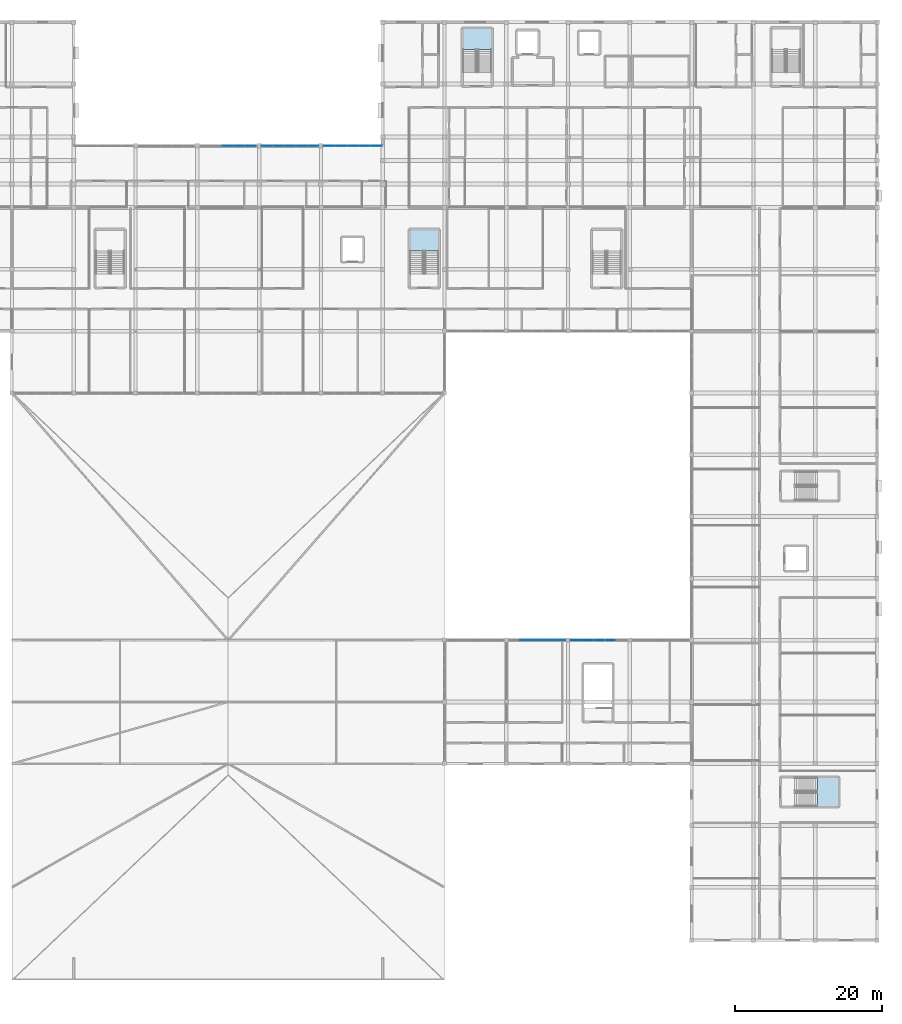
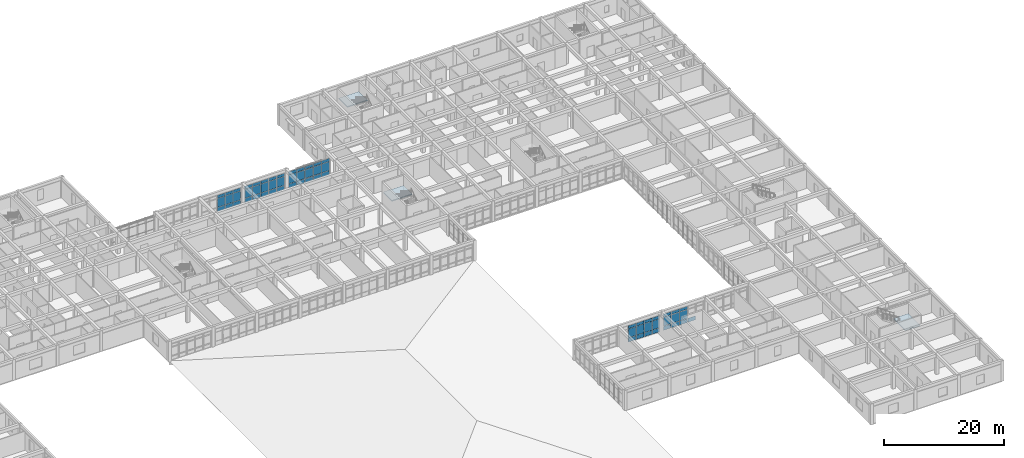
# One storey, part 39 of 77: 61 plates, 3 slabs, 8 elements without a shape of their own.
"""IFC4 building model written with IfcOpenShell, lengths in metres."""

from ifc_helpers import new_model, si_unit, direction, frame, origin, origin_2d, place, context, subcontext, project, spatial, polyline, rectangle, outline, extrude, material, layer, layer_set, type_object, element, aggregate, save


model = new_model("IFC4")

# Units and contexts
model_context = context("Model", 3, precision=1e-05, world=origin(), true_north=direction((0.0, 1.0)))
body_context = subcontext(model_context, "Body", "Model", "MODEL_VIEW")
ifc_project = project(units=[si_unit("LENGTHUNIT", "METRE"), si_unit("AREAUNIT", "SQUARE_METRE"), si_unit("VOLUMEUNIT", "CUBIC_METRE"), si_unit("PLANEANGLEUNIT", "RADIAN"), si_unit("MASSUNIT", "GRAM", prefix="KILO")], contexts=[model_context])

# Site, building, storey
site_placement = place(None, origin())
site = spatial("IfcSite", under=ifc_project, at=site_placement, CompositionType="ELEMENT")
building_placement = place(site_placement, origin())
building = spatial("IfcBuilding", under=site, at=building_placement, Name="Varncliffe General Hospital", CompositionType="ELEMENT")
storey_placement = place(building_placement, frame((0.0, 0.0, 16.199951171875)))
storey = spatial("IfcBuildingStorey", under=building, at=storey_placement, Name="L03", CompositionType="ELEMENT", Elevation=16.199951171875)

# Curtain wall, plates
ifc_material_1 = material(Name="Triple low-E argon insulated vision glazing", Category="glass")
curtain_wall_type_1 = type_object("IfcCurtainWallType", Name="Unitised Glazed Curtain Wall CW36 (7804x3440)", PredefinedType="USERDEFINED", material=ifc_material_1)
curtain_wall_1_placement = place(storey_placement, origin())
curtain_wall_1 = element("IfcCurtainWall", 1, at=curtain_wall_1_placement, inside=storey, type_object=curtain_wall_type_1, Name="L03 Glazed Curtain Wall CW36-156", ObjectType="GLAZED CURTAIN WALL", PredefinedType="USERDEFINED")
ifc_layer_1 = layer(ifc_material_1, 0.0439453125)
ifc_layer_set_1 = layer_set([ifc_layer_1], Name="Triple low-E argon insulated vision glazing")
plate_type_1 = type_object("IfcPlateType", Name="Curtain Wall Glazing Panel CP12 (44mm)", PredefinedType="CURTAIN_PANEL", material=ifc_layer_set_1)
plate_1_placement = place(storey_placement, frame((93.4970703125, 108.0, 0.06494140625), z_axis=(0.0, 0.0, 1.0), x_axis=(1.0, 0.0, 0.0)))
plate_1 = element("IfcPlate", 2, at=plate_1_placement, type_object=plate_type_1, Name="CW36 panel 1.1", PredefinedType="CURTAIN_PANEL", context=body_context, shape_type="SweptSolid", body=[
    extrude(rectangle(XDim=1.4482421875, YDim=0.0439453125, at=origin_2d()), origin(), (0.0, 0.0, 1.0), 0.802490234375),
])
plate_2_placement = place(storey_placement, frame((93.4970703125, 108.0, 0.9326171875), z_axis=(0.0, 0.0, 1.0), x_axis=(1.0, 0.0, 0.0)))
plate_2 = element("IfcPlate", 3, at=plate_2_placement, type_object=plate_type_1, Name="CW36 panel 1.2", PredefinedType="CURTAIN_PANEL", context=body_context, shape_type="SweptSolid", body=[
    extrude(rectangle(XDim=1.4482421875, YDim=0.0439453125, at=origin_2d()), origin(), (0.0, 0.0, 1.0), 1.77490234375),
])
plate_3_placement = place(storey_placement, frame((93.4970703125, 108.0, 2.7724609375), z_axis=(0.0, 0.0, 1.0), x_axis=(1.0, 0.0, 0.0)))
plate_3 = element("IfcPlate", 4, at=plate_3_placement, type_object=plate_type_1, Name="CW36 panel 1.3", PredefinedType="CURTAIN_PANEL", context=body_context, shape_type="SweptSolid", body=[
    extrude(rectangle(XDim=1.4482421875, YDim=0.0439453125, at=origin_2d()), origin(), (0.0, 0.0, 1.0), 0.6025390625),
])
plate_4_placement = place(storey_placement, frame((95.039306640625, 108.0, 0.06494140625), z_axis=(0.0, 0.0, 1.0), x_axis=(1.0, 0.0, 0.0)))
plate_4 = element("IfcPlate", 5, at=plate_4_placement, type_object=plate_type_1, Name="CW36 panel 2.1", PredefinedType="CURTAIN_PANEL", context=body_context, shape_type="SweptSolid", body=[
    extrude(rectangle(XDim=1.48583984375, YDim=0.0439453125, at=origin_2d()), origin(), (0.0, 0.0, 1.0), 0.802490234375),
])
plate_5_placement = place(storey_placement, frame((95.039306640625, 108.0, 0.9326171875), z_axis=(0.0, 0.0, 1.0), x_axis=(1.0, 0.0, 0.0)))
plate_5 = element("IfcPlate", 6, at=plate_5_placement, type_object=plate_type_1, Name="CW36 panel 2.2", PredefinedType="CURTAIN_PANEL", context=body_context, shape_type="SweptSolid", body=[
    extrude(rectangle(XDim=1.48583984375, YDim=0.0439453125, at=origin_2d()), origin(), (0.0, 0.0, 1.0), 1.77490234375),
])
plate_6_placement = place(storey_placement, frame((95.039306640625, 108.0, 2.7724609375), z_axis=(0.0, 0.0, 1.0), x_axis=(1.0, 0.0, 0.0)))
plate_6 = element("IfcPlate", 7, at=plate_6_placement, type_object=plate_type_1, Name="CW36 panel 2.3", PredefinedType="CURTAIN_PANEL", context=body_context, shape_type="SweptSolid", body=[
    extrude(rectangle(XDim=1.48583984375, YDim=0.0439453125, at=origin_2d()), origin(), (0.0, 0.0, 1.0), 0.6025390625),
])
plate_7_placement = place(storey_placement, frame((96.60009765625, 108.0, 0.06494140625), z_axis=(0.0, 0.0, 1.0), x_axis=(1.0, 0.0, 0.0)))
plate_7 = element("IfcPlate", 8, at=plate_7_placement, type_object=plate_type_1, Name="CW36 panel 3.1", PredefinedType="CURTAIN_PANEL", context=body_context, shape_type="SweptSolid", body=[
    extrude(rectangle(XDim=1.48583984375, YDim=0.0439453125, at=origin_2d()), origin(), (0.0, 0.0, 1.0), 0.802490234375),
])
plate_8_placement = place(storey_placement, frame((96.60009765625, 108.0, 0.9326171875), z_axis=(0.0, 0.0, 1.0), x_axis=(1.0, 0.0, 0.0)))
plate_8 = element("IfcPlate", 9, at=plate_8_placement, type_object=plate_type_1, Name="CW36 panel 3.2", PredefinedType="CURTAIN_PANEL", context=body_context, shape_type="SweptSolid", body=[
    extrude(rectangle(XDim=1.48583984375, YDim=0.0439453125, at=origin_2d()), origin(), (0.0, 0.0, 1.0), 1.77490234375),
])
plate_9_placement = place(storey_placement, frame((96.60009765625, 108.0, 2.7724609375), z_axis=(0.0, 0.0, 1.0), x_axis=(1.0, 0.0, 0.0)))
plate_9 = element("IfcPlate", 10, at=plate_9_placement, type_object=plate_type_1, Name="CW36 panel 3.3", PredefinedType="CURTAIN_PANEL", context=body_context, shape_type="SweptSolid", body=[
    extrude(rectangle(XDim=1.48583984375, YDim=0.0439453125, at=origin_2d()), origin(), (0.0, 0.0, 1.0), 0.6025390625),
])
plate_10_placement = place(storey_placement, frame((98.160888671875, 108.0, 0.06494140625), z_axis=(0.0, 0.0, 1.0), x_axis=(1.0, 0.0, 0.0)))
plate_10 = element("IfcPlate", 11, at=plate_10_placement, type_object=plate_type_1, Name="CW36 panel 4.1", PredefinedType="CURTAIN_PANEL", context=body_context, shape_type="SweptSolid", body=[
    extrude(rectangle(XDim=1.48583984375, YDim=0.0439453125, at=origin_2d()), origin(), (0.0, 0.0, 1.0), 0.802490234375),
])
plate_11_placement = place(storey_placement, frame((98.160888671875, 108.0, 0.9326171875), z_axis=(0.0, 0.0, 1.0), x_axis=(1.0, 0.0, 0.0)))
plate_11 = element("IfcPlate", 12, at=plate_11_placement, type_object=plate_type_1, Name="CW36 panel 4.2", PredefinedType="CURTAIN_PANEL", context=body_context, shape_type="SweptSolid", body=[
    extrude(rectangle(XDim=1.48583984375, YDim=0.0439453125, at=origin_2d()), origin(), (0.0, 0.0, 1.0), 1.77490234375),
])
plate_12_placement = place(storey_placement, frame((98.160888671875, 108.0, 2.7724609375), z_axis=(0.0, 0.0, 1.0), x_axis=(1.0, 0.0, 0.0)))
plate_12 = element("IfcPlate", 13, at=plate_12_placement, type_object=plate_type_1, Name="CW36 panel 4.3", PredefinedType="CURTAIN_PANEL", context=body_context, shape_type="SweptSolid", body=[
    extrude(rectangle(XDim=1.48583984375, YDim=0.0439453125, at=origin_2d()), origin(), (0.0, 0.0, 1.0), 0.6025390625),
])
plate_13_placement = place(storey_placement, frame((99.702880859375, 108.0, 0.06494140625), z_axis=(0.0, 0.0, 1.0), x_axis=(1.0, 0.0, 0.0)))
plate_13 = element("IfcPlate", 14, at=plate_13_placement, type_object=plate_type_1, Name="CW36 panel 5.1", PredefinedType="CURTAIN_PANEL", context=body_context, shape_type="SweptSolid", body=[
    extrude(rectangle(XDim=1.4482421875, YDim=0.0439453125, at=origin_2d()), origin(), (0.0, 0.0, 1.0), 0.802490234375),
])
plate_14_placement = place(storey_placement, frame((99.702880859375, 108.0, 0.9326171875), z_axis=(0.0, 0.0, 1.0), x_axis=(1.0, 0.0, 0.0)))
plate_14 = element("IfcPlate", 15, at=plate_14_placement, type_object=plate_type_1, Name="CW36 panel 5.2", PredefinedType="CURTAIN_PANEL", context=body_context, shape_type="SweptSolid", body=[
    extrude(rectangle(XDim=1.4482421875, YDim=0.0439453125, at=origin_2d()), origin(), (0.0, 0.0, 1.0), 1.77490234375),
])
plate_15_placement = place(storey_placement, frame((99.702880859375, 108.0, 2.7724609375), z_axis=(0.0, 0.0, 1.0), x_axis=(1.0, 0.0, 0.0)))
plate_15 = element("IfcPlate", 16, at=plate_15_placement, type_object=plate_type_1, Name="CW36 panel 5.3", PredefinedType="CURTAIN_PANEL", context=body_context, shape_type="SweptSolid", body=[
    extrude(rectangle(XDim=1.4482421875, YDim=0.0439453125, at=origin_2d()), origin(), (0.0, 0.0, 1.0), 0.6025390625),
])
aggregate(curtain_wall_1, [plate_1, plate_2, plate_3, plate_4, plate_5, plate_6, plate_7, plate_8, plate_9, plate_10, plate_11, plate_12, plate_13, plate_14, plate_15])

curtain_wall_type_2 = type_object("IfcCurtainWallType", Name="Unitised Glazed Curtain Wall CW69 (7644x3440)", PredefinedType="USERDEFINED", material=ifc_material_1)
curtain_wall_2_placement = place(storey_placement, origin())
curtain_wall_2 = element("IfcCurtainWall", 17, at=curtain_wall_2_placement, inside=storey, type_object=curtain_wall_type_2, Name="L03 Glazed Curtain Wall CW69-155", ObjectType="GLAZED CURTAIN WALL", PredefinedType="USERDEFINED")
ifc_layer_2 = layer(ifc_material_1, 0.035888671875)
ifc_layer_set_2 = layer_set([ifc_layer_2], Name="Triple low-E argon insulated vision glazing")
plate_type_2 = type_object("IfcPlateType", Name="Curtain Wall Glazing Panel CP27 (36mm)", PredefinedType="CURTAIN_PANEL", material=ifc_layer_set_2)
plate_16_placement = place(storey_placement, frame((88.199951171875, 108.0, 0.06005859375), z_axis=(0.0, 0.0, 1.0), x_axis=(1.0, 0.0, 0.0)))
plate_16 = element("IfcPlate", 18, at=plate_16_placement, type_object=plate_type_2, Name="CW69 panel 3.1", PredefinedType="CURTAIN_PANEL", context=body_context, shape_type="SweptSolid", body=[
    extrude(rectangle(XDim=1.4638671875, YDim=0.035888671875, at=origin_2d()), origin(), (0.0, 0.0, 1.0), 0.81005859375),
])
plate_17_placement = place(storey_placement, frame((88.199951171875, 108.0, 0.93017578125), z_axis=(0.0, 0.0, 1.0), x_axis=(1.0, 0.0, 0.0)))
plate_17 = element("IfcPlate", 19, at=plate_17_placement, type_object=plate_type_2, Name="CW69 panel 3.2", PredefinedType="CURTAIN_PANEL", context=body_context, shape_type="SweptSolid", body=[
    extrude(rectangle(XDim=1.4638671875, YDim=0.035888671875, at=origin_2d()), origin(), (0.0, 0.0, 1.0), 1.780029296875),
])
plate_18_placement = place(storey_placement, frame((88.199951171875, 108.0, 2.77001953125), z_axis=(0.0, 0.0, 1.0), x_axis=(1.0, 0.0, 0.0)))
plate_18 = element("IfcPlate", 20, at=plate_18_placement, type_object=plate_type_2, Name="CW69 panel 3.3", PredefinedType="CURTAIN_PANEL", context=body_context, shape_type="SweptSolid", body=[
    extrude(rectangle(XDim=1.4638671875, YDim=0.035888671875, at=origin_2d()), origin(), (0.0, 0.0, 1.0), 0.610107421875),
])
plate_19_placement = place(storey_placement, frame((89.728759765625, 108.0, 0.06005859375), z_axis=(0.0, 0.0, 1.0), x_axis=(1.0, 0.0, 0.0)))
plate_19 = element("IfcPlate", 21, at=plate_19_placement, type_object=plate_type_2, Name="CW69 panel 4.1", PredefinedType="CURTAIN_PANEL", context=body_context, shape_type="SweptSolid", body=[
    extrude(rectangle(XDim=1.4638671875, YDim=0.035888671875, at=origin_2d()), origin(), (0.0, 0.0, 1.0), 0.81005859375),
])
plate_20_placement = place(storey_placement, frame((89.728759765625, 108.0, 0.93017578125), z_axis=(0.0, 0.0, 1.0), x_axis=(1.0, 0.0, 0.0)))
plate_20 = element("IfcPlate", 22, at=plate_20_placement, type_object=plate_type_2, Name="CW69 panel 4.2", PredefinedType="CURTAIN_PANEL", context=body_context, shape_type="SweptSolid", body=[
    extrude(rectangle(XDim=1.4638671875, YDim=0.035888671875, at=origin_2d()), origin(), (0.0, 0.0, 1.0), 1.780029296875),
])
plate_21_placement = place(storey_placement, frame((89.728759765625, 108.0, 2.77001953125), z_axis=(0.0, 0.0, 1.0), x_axis=(1.0, 0.0, 0.0)))
plate_21 = element("IfcPlate", 23, at=plate_21_placement, type_object=plate_type_2, Name="CW69 panel 4.3", PredefinedType="CURTAIN_PANEL", context=body_context, shape_type="SweptSolid", body=[
    extrude(rectangle(XDim=1.4638671875, YDim=0.035888671875, at=origin_2d()), origin(), (0.0, 0.0, 1.0), 0.610107421875),
])
plate_22_placement = place(storey_placement, frame((91.241455078125, 108.0, 0.06005859375), z_axis=(0.0, 0.0, 1.0), x_axis=(1.0, 0.0, 0.0)))
plate_22 = element("IfcPlate", 24, at=plate_22_placement, type_object=plate_type_2, Name="CW69 panel 5.1", PredefinedType="CURTAIN_PANEL", context=body_context, shape_type="SweptSolid", body=[
    extrude(rectangle(XDim=1.431396484375, YDim=0.035888671875, at=origin_2d()), origin(), (0.0, 0.0, 1.0), 0.81005859375),
])
plate_23_placement = place(storey_placement, frame((91.241455078125, 108.0, 0.93017578125), z_axis=(0.0, 0.0, 1.0), x_axis=(1.0, 0.0, 0.0)))
plate_23 = element("IfcPlate", 25, at=plate_23_placement, type_object=plate_type_2, Name="CW69 panel 5.2", PredefinedType="CURTAIN_PANEL", context=body_context, shape_type="SweptSolid", body=[
    extrude(rectangle(XDim=1.431396484375, YDim=0.035888671875, at=origin_2d()), origin(), (0.0, 0.0, 1.0), 1.780029296875),
])
plate_24_placement = place(storey_placement, frame((91.241455078125, 108.0, 2.77001953125), z_axis=(0.0, 0.0, 1.0), x_axis=(1.0, 0.0, 0.0)))
plate_24 = element("IfcPlate", 26, at=plate_24_placement, type_object=plate_type_2, Name="CW69 panel 5.3", PredefinedType="CURTAIN_PANEL", context=body_context, shape_type="SweptSolid", body=[
    extrude(rectangle(XDim=1.431396484375, YDim=0.035888671875, at=origin_2d()), origin(), (0.0, 0.0, 1.0), 0.610107421875),
])
aggregate(curtain_wall_2, [plate_16, plate_17, plate_18, plate_19, plate_20, plate_21, plate_22, plate_23, plate_24])

curtain_wall_type_3 = type_object("IfcCurtainWallType", Name="Unitised Glazed Curtain Wall CW37 (7694x3440)", PredefinedType="USERDEFINED", material=ifc_material_1)
curtain_wall_3_placement = place(storey_placement, origin())
curtain_wall_3 = element("IfcCurtainWall", 27, at=curtain_wall_3_placement, inside=storey, type_object=curtain_wall_type_3, Name="L03 Glazed Curtain Wall CW37-161", ObjectType="GLAZED CURTAIN WALL", PredefinedType="USERDEFINED")
ifc_material_2 = material(Name="Insulated ceramic-fritted spandrel glazing panel", Category="glass")
ifc_layer_3 = layer(ifc_material_2, 0.06396484375)
ifc_layer_set_3 = layer_set([ifc_layer_3], Name="Insulated ceramic-fritted spandrel glazing panel")
plate_type_3 = type_object("IfcPlateType", Name="Curtain Wall Glazing Panel CP41 (64mm)", PredefinedType="CURTAIN_PANEL", material=ifc_layer_set_3)
plate_25_placement = place(storey_placement, frame((128.6611328125, 40.800048828125, 0.06005859375), z_axis=(0.0, 0.0, 1.0), x_axis=(1.0, 0.0, 0.0)))
plate_25 = element("IfcPlate", 28, at=plate_25_placement, type_object=plate_type_3, Name="CW37 panel 2.1", PredefinedType="CURTAIN_PANEL", context=body_context, shape_type="SweptSolid", body=[
    extrude(rectangle(XDim=1.473876953125, YDim=0.06396484375, at=origin_2d()), origin(), (0.0, 0.0, 1.0), 0.81005859375),
])
plate_26_placement = place(storey_placement, frame((128.6611328125, 40.800048828125, 0.93017578125), z_axis=(0.0, 0.0, 1.0), x_axis=(1.0, 0.0, 0.0)))
plate_26 = element("IfcPlate", 29, at=plate_26_placement, type_object=plate_type_3, Name="CW37 panel 2.2", PredefinedType="CURTAIN_PANEL", context=body_context, shape_type="SweptSolid", body=[
    extrude(rectangle(XDim=1.473876953125, YDim=0.06396484375, at=origin_2d()), origin(), (0.0, 0.0, 1.0), 1.780029296875),
])
plate_27_placement = place(storey_placement, frame((128.6611328125, 40.800048828125, 2.77001953125), z_axis=(0.0, 0.0, 1.0), x_axis=(1.0, 0.0, 0.0)))
plate_27 = element("IfcPlate", 30, at=plate_27_placement, type_object=plate_type_3, Name="CW37 panel 2.3", PredefinedType="CURTAIN_PANEL", context=body_context, shape_type="SweptSolid", body=[
    extrude(rectangle(XDim=1.473876953125, YDim=0.06396484375, at=origin_2d()), origin(), (0.0, 0.0, 1.0), 0.610107421875),
])
plate_28_placement = place(storey_placement, frame((130.199951171875, 40.800048828125, 0.06005859375), z_axis=(0.0, 0.0, 1.0), x_axis=(1.0, 0.0, 0.0)))
plate_28 = element("IfcPlate", 31, at=plate_28_placement, type_object=plate_type_3, Name="CW37 panel 3.1", PredefinedType="CURTAIN_PANEL", context=body_context, shape_type="SweptSolid", body=[
    extrude(rectangle(XDim=1.473876953125, YDim=0.06396484375, at=origin_2d()), origin(), (0.0, 0.0, 1.0), 0.81005859375),
])
plate_29_placement = place(storey_placement, frame((130.199951171875, 40.800048828125, 0.93017578125), z_axis=(0.0, 0.0, 1.0), x_axis=(1.0, 0.0, 0.0)))
plate_29 = element("IfcPlate", 32, at=plate_29_placement, type_object=plate_type_3, Name="CW37 panel 3.2", PredefinedType="CURTAIN_PANEL", context=body_context, shape_type="SweptSolid", body=[
    extrude(rectangle(XDim=1.473876953125, YDim=0.06396484375, at=origin_2d()), origin(), (0.0, 0.0, 1.0), 1.780029296875),
])
plate_30_placement = place(storey_placement, frame((130.199951171875, 40.800048828125, 2.77001953125), z_axis=(0.0, 0.0, 1.0), x_axis=(1.0, 0.0, 0.0)))
plate_30 = element("IfcPlate", 33, at=plate_30_placement, type_object=plate_type_3, Name="CW37 panel 3.3", PredefinedType="CURTAIN_PANEL", context=body_context, shape_type="SweptSolid", body=[
    extrude(rectangle(XDim=1.473876953125, YDim=0.06396484375, at=origin_2d()), origin(), (0.0, 0.0, 1.0), 0.610107421875),
])
plate_31_placement = place(storey_placement, frame((131.73876953125, 40.800048828125, 0.06005859375), z_axis=(0.0, 0.0, 1.0), x_axis=(1.0, 0.0, 0.0)))
plate_31 = element("IfcPlate", 34, at=plate_31_placement, type_object=plate_type_3, Name="CW37 panel 4.1", PredefinedType="CURTAIN_PANEL", context=body_context, shape_type="SweptSolid", body=[
    extrude(rectangle(XDim=1.473876953125, YDim=0.06396484375, at=origin_2d()), origin(), (0.0, 0.0, 1.0), 0.81005859375),
])
plate_32_placement = place(storey_placement, frame((131.73876953125, 40.800048828125, 0.93017578125), z_axis=(0.0, 0.0, 1.0), x_axis=(1.0, 0.0, 0.0)))
plate_32 = element("IfcPlate", 35, at=plate_32_placement, type_object=plate_type_3, Name="CW37 panel 4.2", PredefinedType="CURTAIN_PANEL", context=body_context, shape_type="SweptSolid", body=[
    extrude(rectangle(XDim=1.473876953125, YDim=0.06396484375, at=origin_2d()), origin(), (0.0, 0.0, 1.0), 1.780029296875),
])
plate_33_placement = place(storey_placement, frame((131.73876953125, 40.800048828125, 2.77001953125), z_axis=(0.0, 0.0, 1.0), x_axis=(1.0, 0.0, 0.0)))
plate_33 = element("IfcPlate", 36, at=plate_33_placement, type_object=plate_type_3, Name="CW37 panel 4.3", PredefinedType="CURTAIN_PANEL", context=body_context, shape_type="SweptSolid", body=[
    extrude(rectangle(XDim=1.473876953125, YDim=0.06396484375, at=origin_2d()), origin(), (0.0, 0.0, 1.0), 0.610107421875),
])
plate_34_placement = place(storey_placement, frame((133.26123046875, 40.800048828125, 0.06005859375), z_axis=(0.0, 0.0, 1.0), x_axis=(1.0, 0.0, 0.0)))
plate_34 = element("IfcPlate", 37, at=plate_34_placement, type_object=plate_type_3, Name="CW37 panel 5.1", PredefinedType="CURTAIN_PANEL", context=body_context, shape_type="SweptSolid", body=[
    extrude(rectangle(XDim=1.44140625, YDim=0.06396484375, at=origin_2d()), origin(), (0.0, 0.0, 1.0), 0.81005859375),
])
plate_35_placement = place(storey_placement, frame((133.26123046875, 40.800048828125, 0.93017578125), z_axis=(0.0, 0.0, 1.0), x_axis=(1.0, 0.0, 0.0)))
plate_35 = element("IfcPlate", 38, at=plate_35_placement, type_object=plate_type_3, Name="CW37 panel 5.2", PredefinedType="CURTAIN_PANEL", context=body_context, shape_type="SweptSolid", body=[
    extrude(rectangle(XDim=1.44140625, YDim=0.06396484375, at=origin_2d()), origin(), (0.0, 0.0, 1.0), 1.780029296875),
])
plate_36_placement = place(storey_placement, frame((133.26123046875, 40.800048828125, 2.77001953125), z_axis=(0.0, 0.0, 1.0), x_axis=(1.0, 0.0, 0.0)))
plate_36 = element("IfcPlate", 39, at=plate_36_placement, type_object=plate_type_3, Name="CW37 panel 5.3", PredefinedType="CURTAIN_PANEL", context=body_context, shape_type="SweptSolid", body=[
    extrude(rectangle(XDim=1.44140625, YDim=0.06396484375, at=origin_2d()), origin(), (0.0, 0.0, 1.0), 0.610107421875),
])
aggregate(curtain_wall_3, [plate_25, plate_26, plate_27, plate_28, plate_29, plate_30, plate_31, plate_32, plate_33, plate_34, plate_35, plate_36])

curtain_wall_type_4 = type_object("IfcCurtainWallType", Name="Unitised Glazed Curtain Wall CW73 (8022x3440)", PredefinedType="USERDEFINED", material=ifc_material_1)
curtain_wall_4_placement = place(storey_placement, origin())
curtain_wall_4 = element("IfcCurtainWall", 40, at=curtain_wall_4_placement, inside=storey, type_object=curtain_wall_type_4, Name="L03 Glazed Curtain Wall CW73-157", ObjectType="GLAZED CURTAIN WALL", PredefinedType="USERDEFINED")
ifc_layer_4 = layer(ifc_material_2, 0.052001953125)
ifc_layer_set_4 = layer_set([ifc_layer_4], Name="Insulated ceramic-fritted spandrel glazing panel")
plate_type_4 = type_object("IfcPlateType", Name="Curtain Wall Glazing Panel CP46 (52mm)", PredefinedType="CURTAIN_PANEL", material=ifc_layer_set_4)
plate_37_placement = place(storey_placement, frame((101.958984375, 108.0, 0.06005859375), z_axis=(0.0, 0.0, 1.0), x_axis=(1.0, 0.0, 0.0)))
plate_37 = element("IfcPlate", 41, at=plate_37_placement, type_object=plate_type_4, Name="CW73 panel 1.1", PredefinedType="CURTAIN_PANEL", context=body_context, shape_type="SweptSolid", body=[
    extrude(rectangle(XDim=1.491943359375, YDim=0.052001953125, at=origin_2d()), origin(), (0.0, 0.0, 1.0), 0.81005859375),
])
plate_38_placement = place(storey_placement, frame((101.958984375, 108.0, 0.93017578125), z_axis=(0.0, 0.0, 1.0), x_axis=(1.0, 0.0, 0.0)))
plate_38 = element("IfcPlate", 42, at=plate_38_placement, type_object=plate_type_4, Name="CW73 panel 1.2", PredefinedType="CURTAIN_PANEL", context=body_context, shape_type="SweptSolid", body=[
    extrude(rectangle(XDim=1.491943359375, YDim=0.052001953125, at=origin_2d()), origin(), (0.0, 0.0, 1.0), 1.780029296875),
])
plate_39_placement = place(storey_placement, frame((101.958984375, 108.0, 2.77001953125), z_axis=(0.0, 0.0, 1.0), x_axis=(1.0, 0.0, 0.0)))
plate_39 = element("IfcPlate", 43, at=plate_39_placement, type_object=plate_type_4, Name="CW73 panel 1.3", PredefinedType="CURTAIN_PANEL", context=body_context, shape_type="SweptSolid", body=[
    extrude(rectangle(XDim=1.491943359375, YDim=0.052001953125, at=origin_2d()), origin(), (0.0, 0.0, 1.0), 0.610107421875),
])
plate_40_placement = place(storey_placement, frame((103.544677734375, 108.0, 0.06005859375), z_axis=(0.0, 0.0, 1.0), x_axis=(1.0, 0.0, 0.0)))
plate_40 = element("IfcPlate", 44, at=plate_40_placement, type_object=plate_type_4, Name="CW73 panel 2.1", PredefinedType="CURTAIN_PANEL", context=body_context, shape_type="SweptSolid", body=[
    extrude(rectangle(XDim=1.529296875, YDim=0.052001953125, at=origin_2d()), origin(), (0.0, 0.0, 1.0), 0.81005859375),
])
plate_41_placement = place(storey_placement, frame((103.544677734375, 108.0, 0.93017578125), z_axis=(0.0, 0.0, 1.0), x_axis=(1.0, 0.0, 0.0)))
plate_41 = element("IfcPlate", 45, at=plate_41_placement, type_object=plate_type_4, Name="CW73 panel 2.2", PredefinedType="CURTAIN_PANEL", context=body_context, shape_type="SweptSolid", body=[
    extrude(rectangle(XDim=1.529296875, YDim=0.052001953125, at=origin_2d()), origin(), (0.0, 0.0, 1.0), 1.780029296875),
])
plate_42_placement = place(storey_placement, frame((103.544677734375, 108.0, 2.77001953125), z_axis=(0.0, 0.0, 1.0), x_axis=(1.0, 0.0, 0.0)))
plate_42 = element("IfcPlate", 46, at=plate_42_placement, type_object=plate_type_4, Name="CW73 panel 2.3", PredefinedType="CURTAIN_PANEL", context=body_context, shape_type="SweptSolid", body=[
    extrude(rectangle(XDim=1.529296875, YDim=0.052001953125, at=origin_2d()), origin(), (0.0, 0.0, 1.0), 0.610107421875),
])
plate_43_placement = place(storey_placement, frame((105.14892578125, 108.0, 0.06005859375), z_axis=(0.0, 0.0, 1.0), x_axis=(1.0, 0.0, 0.0)))
plate_43 = element("IfcPlate", 47, at=plate_43_placement, type_object=plate_type_4, Name="CW73 panel 3.1", PredefinedType="CURTAIN_PANEL", context=body_context, shape_type="SweptSolid", body=[
    extrude(rectangle(XDim=1.529296875, YDim=0.052001953125, at=origin_2d()), origin(), (0.0, 0.0, 1.0), 0.81005859375),
])
plate_44_placement = place(storey_placement, frame((105.14892578125, 108.0, 0.93017578125), z_axis=(0.0, 0.0, 1.0), x_axis=(1.0, 0.0, 0.0)))
plate_44 = element("IfcPlate", 48, at=plate_44_placement, type_object=plate_type_4, Name="CW73 panel 3.2", PredefinedType="CURTAIN_PANEL", context=body_context, shape_type="SweptSolid", body=[
    extrude(rectangle(XDim=1.529296875, YDim=0.052001953125, at=origin_2d()), origin(), (0.0, 0.0, 1.0), 1.780029296875),
])
plate_45_placement = place(storey_placement, frame((105.14892578125, 108.0, 2.77001953125), z_axis=(0.0, 0.0, 1.0), x_axis=(1.0, 0.0, 0.0)))
plate_45 = element("IfcPlate", 49, at=plate_45_placement, type_object=plate_type_4, Name="CW73 panel 3.3", PredefinedType="CURTAIN_PANEL", context=body_context, shape_type="SweptSolid", body=[
    extrude(rectangle(XDim=1.529296875, YDim=0.052001953125, at=origin_2d()), origin(), (0.0, 0.0, 1.0), 0.610107421875),
])
plate_46_placement = place(storey_placement, frame((106.75341796875, 108.0, 0.06005859375), z_axis=(0.0, 0.0, 1.0), x_axis=(1.0, 0.0, 0.0)))
plate_46 = element("IfcPlate", 50, at=plate_46_placement, type_object=plate_type_4, Name="CW73 panel 4.1", PredefinedType="CURTAIN_PANEL", context=body_context, shape_type="SweptSolid", body=[
    extrude(rectangle(XDim=1.529296875, YDim=0.052001953125, at=origin_2d()), origin(), (0.0, 0.0, 1.0), 0.81005859375),
])
plate_47_placement = place(storey_placement, frame((106.75341796875, 108.0, 0.93017578125), z_axis=(0.0, 0.0, 1.0), x_axis=(1.0, 0.0, 0.0)))
plate_47 = element("IfcPlate", 51, at=plate_47_placement, type_object=plate_type_4, Name="CW73 panel 4.2", PredefinedType="CURTAIN_PANEL", context=body_context, shape_type="SweptSolid", body=[
    extrude(rectangle(XDim=1.529296875, YDim=0.052001953125, at=origin_2d()), origin(), (0.0, 0.0, 1.0), 1.780029296875),
])
plate_48_placement = place(storey_placement, frame((106.75341796875, 108.0, 2.77001953125), z_axis=(0.0, 0.0, 1.0), x_axis=(1.0, 0.0, 0.0)))
plate_48 = element("IfcPlate", 52, at=plate_48_placement, type_object=plate_type_4, Name="CW73 panel 4.3", PredefinedType="CURTAIN_PANEL", context=body_context, shape_type="SweptSolid", body=[
    extrude(rectangle(XDim=1.529296875, YDim=0.052001953125, at=origin_2d()), origin(), (0.0, 0.0, 1.0), 0.610107421875),
])
plate_49_placement = place(storey_placement, frame((108.339111328125, 108.0, 0.06005859375), z_axis=(0.0, 0.0, 1.0), x_axis=(1.0, 0.0, 0.0)))
plate_49 = element("IfcPlate", 53, at=plate_49_placement, type_object=plate_type_4, Name="CW73 panel 5.1", PredefinedType="CURTAIN_PANEL", context=body_context, shape_type="SweptSolid", body=[
    extrude(rectangle(XDim=1.491943359375, YDim=0.052001953125, at=origin_2d()), origin(), (0.0, 0.0, 1.0), 0.81005859375),
])
plate_50_placement = place(storey_placement, frame((108.339111328125, 108.0, 0.93017578125), z_axis=(0.0, 0.0, 1.0), x_axis=(1.0, 0.0, 0.0)))
plate_50 = element("IfcPlate", 54, at=plate_50_placement, type_object=plate_type_4, Name="CW73 panel 5.2", PredefinedType="CURTAIN_PANEL", context=body_context, shape_type="SweptSolid", body=[
    extrude(rectangle(XDim=1.491943359375, YDim=0.052001953125, at=origin_2d()), origin(), (0.0, 0.0, 1.0), 1.780029296875),
])
plate_51_placement = place(storey_placement, frame((108.339111328125, 108.0, 2.77001953125), z_axis=(0.0, 0.0, 1.0), x_axis=(1.0, 0.0, 0.0)))
plate_51 = element("IfcPlate", 55, at=plate_51_placement, type_object=plate_type_4, Name="CW73 panel 5.3", PredefinedType="CURTAIN_PANEL", context=body_context, shape_type="SweptSolid", body=[
    extrude(rectangle(XDim=1.491943359375, YDim=0.052001953125, at=origin_2d()), origin(), (0.0, 0.0, 1.0), 0.610107421875),
])
aggregate(curtain_wall_4, [plate_37, plate_38, plate_39, plate_40, plate_41, plate_42, plate_43, plate_44, plate_45, plate_46, plate_47, plate_48, plate_49, plate_50, plate_51])

curtain_wall_type_5 = type_object("IfcCurtainWallType", Name="Unitised Glazed Curtain Wall CW83 (7854x3440)", PredefinedType="USERDEFINED", material=ifc_material_1)
curtain_wall_5_placement = place(storey_placement, origin())
curtain_wall_5 = element("IfcCurtainWall", 56, at=curtain_wall_5_placement, inside=storey, type_object=curtain_wall_type_5, Name="L03 Glazed Curtain Wall CW83-162", ObjectType="GLAZED CURTAIN WALL", PredefinedType="USERDEFINED")
ifc_layer_5 = layer(ifc_material_1, 0.028076171875)
ifc_layer_set_5 = layer_set([ifc_layer_5], Name="Triple low-E argon insulated vision glazing")
plate_type_5 = type_object("IfcPlateType", Name="Curtain Wall Glazing Panel CP48 (28mm)", PredefinedType="CURTAIN_PANEL", material=ifc_layer_set_5)
plate_52_placement = place(storey_placement, frame((135.47705078125, 40.800048828125, 0.06494140625), z_axis=(0.0, 0.0, 1.0), x_axis=(1.0, 0.0, 0.0)))
plate_52 = element("IfcPlate", 57, at=plate_52_placement, type_object=plate_type_5, Name="CW83 panel 1.1", PredefinedType="CURTAIN_PANEL", context=body_context, shape_type="SweptSolid", body=[
    extrude(rectangle(XDim=1.458251953125, YDim=0.028076171875, at=origin_2d()), origin(), (0.0, 0.0, 1.0), 0.802490234375),
])
plate_53_placement = place(storey_placement, frame((135.47705078125, 40.800048828125, 0.9326171875), z_axis=(0.0, 0.0, 1.0), x_axis=(1.0, 0.0, 0.0)))
plate_53 = element("IfcPlate", 58, at=plate_53_placement, type_object=plate_type_5, Name="CW83 panel 1.2", PredefinedType="CURTAIN_PANEL", context=body_context, shape_type="SweptSolid", body=[
    extrude(rectangle(XDim=1.458251953125, YDim=0.028076171875, at=origin_2d()), origin(), (0.0, 0.0, 1.0), 1.77490234375),
])
plate_54_placement = place(storey_placement, frame((135.47705078125, 40.800048828125, 2.7724609375), z_axis=(0.0, 0.0, 1.0), x_axis=(1.0, 0.0, 0.0)))
plate_54 = element("IfcPlate", 59, at=plate_54_placement, type_object=plate_type_5, Name="CW83 panel 1.3", PredefinedType="CURTAIN_PANEL", context=body_context, shape_type="SweptSolid", body=[
    extrude(rectangle(XDim=1.458251953125, YDim=0.028076171875, at=origin_2d()), origin(), (0.0, 0.0, 1.0), 0.6025390625),
])
plate_55_placement = place(storey_placement, frame((137.029296875, 40.800048828125, 0.06494140625), z_axis=(0.0, 0.0, 1.0), x_axis=(1.0, 0.0, 0.0)))
plate_55 = element("IfcPlate", 60, at=plate_55_placement, type_object=plate_type_5, Name="CW83 panel 2.1", PredefinedType="CURTAIN_PANEL", context=body_context, shape_type="SweptSolid", body=[
    extrude(rectangle(XDim=1.495849609375, YDim=0.028076171875, at=origin_2d()), origin(), (0.0, 0.0, 1.0), 0.802490234375),
])
plate_56_placement = place(storey_placement, frame((137.029296875, 40.800048828125, 0.9326171875), z_axis=(0.0, 0.0, 1.0), x_axis=(1.0, 0.0, 0.0)))
plate_56 = element("IfcPlate", 61, at=plate_56_placement, type_object=plate_type_5, Name="CW83 panel 2.2", PredefinedType="CURTAIN_PANEL", context=body_context, shape_type="SweptSolid", body=[
    extrude(rectangle(XDim=1.495849609375, YDim=0.028076171875, at=origin_2d()), origin(), (0.0, 0.0, 1.0), 1.77490234375),
])
plate_57_placement = place(storey_placement, frame((137.029296875, 40.800048828125, 2.7724609375), z_axis=(0.0, 0.0, 1.0), x_axis=(1.0, 0.0, 0.0)))
plate_57 = element("IfcPlate", 62, at=plate_57_placement, type_object=plate_type_5, Name="CW83 panel 2.3", PredefinedType="CURTAIN_PANEL", context=body_context, shape_type="SweptSolid", body=[
    extrude(rectangle(XDim=1.495849609375, YDim=0.028076171875, at=origin_2d()), origin(), (0.0, 0.0, 1.0), 0.6025390625),
])
plate_58_placement = place(storey_placement, frame((138.60009765625, 40.800048828125, 0.06494140625), z_axis=(0.0, 0.0, 1.0), x_axis=(1.0, 0.0, 0.0)))
plate_58 = element("IfcPlate", 63, at=plate_58_placement, type_object=plate_type_5, Name="CW83 panel 3.1", PredefinedType="CURTAIN_PANEL", context=body_context, shape_type="SweptSolid", body=[
    extrude(rectangle(XDim=1.495849609375, YDim=0.028076171875, at=origin_2d()), origin(), (0.0, 0.0, 1.0), 0.802490234375),
])
plate_59_placement = place(storey_placement, frame((138.60009765625, 40.800048828125, 0.9326171875), z_axis=(0.0, 0.0, 1.0), x_axis=(1.0, 0.0, 0.0)))
plate_59 = element("IfcPlate", 64, at=plate_59_placement, type_object=plate_type_5, Name="CW83 panel 3.2", PredefinedType="CURTAIN_PANEL", context=body_context, shape_type="SweptSolid", body=[
    extrude(rectangle(XDim=1.495849609375, YDim=0.028076171875, at=origin_2d()), origin(), (0.0, 0.0, 1.0), 1.77490234375),
])
plate_60_placement = place(storey_placement, frame((138.60009765625, 40.800048828125, 2.7724609375), z_axis=(0.0, 0.0, 1.0), x_axis=(1.0, 0.0, 0.0)))
plate_60 = element("IfcPlate", 65, at=plate_60_placement, type_object=plate_type_5, Name="CW83 panel 3.3", PredefinedType="CURTAIN_PANEL", context=body_context, shape_type="SweptSolid", body=[
    extrude(rectangle(XDim=1.495849609375, YDim=0.028076171875, at=origin_2d()), origin(), (0.0, 0.0, 1.0), 0.6025390625),
])
plate_61_placement = place(storey_placement, frame((140.1708984375, 40.800048828125, 0.06494140625), z_axis=(0.0, 0.0, 1.0), x_axis=(1.0, 0.0, 0.0)))
plate_61 = element("IfcPlate", 66, at=plate_61_placement, type_object=plate_type_5, Name="CW83 panel 4.1", PredefinedType="CURTAIN_PANEL", context=body_context, shape_type="SweptSolid", body=[
    extrude(rectangle(XDim=1.495849609375, YDim=0.028076171875, at=origin_2d()), origin(), (0.0, 0.0, 1.0), 0.802490234375),
])
aggregate(curtain_wall_5, [plate_52, plate_53, plate_54, plate_55, plate_56, plate_57, plate_58, plate_59, plate_60, plate_61])

# Stair, slab
ifc_material_3 = material(Name="Concrete C35/45 (CSA A23.1 35 MPa)", Category="concrete")
stair_type = type_object("IfcStairType", Name="Hospital Stair Assembly ST-T03 (1850w-4200h)", PredefinedType="TWO_STRAIGHT_RUN_STAIR", material=ifc_material_3)
stair_1_placement = place(storey_placement, origin())
stair_1 = element("IfcStair", 67, at=stair_1_placement, inside=storey, type_object=stair_type, Name="L03 North-East Ward Exit Stair 3", PredefinedType="TWO_STRAIGHT_RUN_STAIR")
ifc_layer_6 = layer(ifc_material_3, 0.199951171875)
ifc_layer_set_6 = layer_set([ifc_layer_6], Name="Concrete C35/45 (CSA A23.1 35 MPa)")
slab_type = type_object("IfcSlabType", Name="Reinforced Concrete Stair Landing LND50 (200mm)", PredefinedType="LANDING", material=ifc_layer_set_6)
slab_1_placement = place(storey_placement, frame((0.0, 0.0, 1.900146484375)))
slab_1 = element("IfcSlab", 68, at=slab_1_placement, type_object=slab_type, Name="ST03 landing 1", PredefinedType="LANDING", context=body_context, shape_type="SweptSolid", body=[
    extrude(outline(polyline([(124.0, 121.080078125), (124.0, 123.949951171875), (120.10009765625, 123.949951171875), (120.10009765625, 121.080078125), (124.0, 121.080078125)])), origin(), (0.0, 0.0, 1.0), 0.199951171875),
])
aggregate(stair_1, [slab_1])

stair_2_placement = place(storey_placement, origin())
stair_2 = element("IfcStair", 69, at=stair_2_placement, inside=storey, type_object=stair_type, Name="L03 Surgical and Helipad Exit Stair 6", PredefinedType="TWO_STRAIGHT_RUN_STAIR")
slab_2_placement = place(storey_placement, frame((0.0, 0.0, 1.900146484375)))
slab_2 = element("IfcSlab", 70, at=slab_2_placement, type_object=slab_type, Name="ST06 landing 1", PredefinedType="LANDING", context=body_context, shape_type="SweptSolid", body=[
    extrude(outline(polyline([(116.800048828125, 93.679931640625), (116.800048828125, 96.550048828125), (112.89990234375, 96.550048828125), (112.89990234375, 93.679931640625), (116.800048828125, 93.679931640625)])), origin(), (0.0, 0.0, 1.0), 0.199951171875),
])
aggregate(stair_2, [slab_2])

stair_3_placement = place(storey_placement, origin())
stair_3 = element("IfcStair", 71, at=stair_3_placement, inside=storey, type_object=stair_type, Name="L03 Outpatient South-East Exit Stair 11", PredefinedType="TWO_STRAIGHT_RUN_STAIR")
slab_3_placement = place(storey_placement, frame((0.0, 0.0, 1.900146484375)))
slab_3 = element("IfcSlab", 72, at=slab_3_placement, type_object=slab_type, Name="ST11 landing 1", PredefinedType="LANDING", context=body_context, shape_type="SweptSolid", body=[
    extrude(outline(polyline([(168.280029296875, 18.199951171875), (171.14990234375, 18.199951171875), (171.14990234375, 22.10009765625), (168.280029296875, 22.10009765625), (168.280029296875, 18.199951171875)])), origin(), (0.0, 0.0, 1.0), 0.199951171875),
])
aggregate(stair_3, [slab_3])

save(model, "model.ifc")
